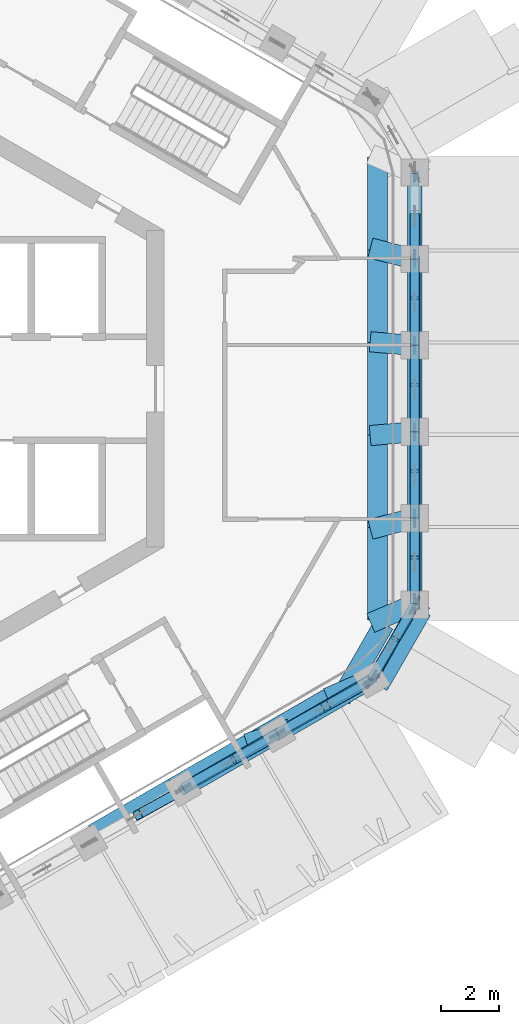
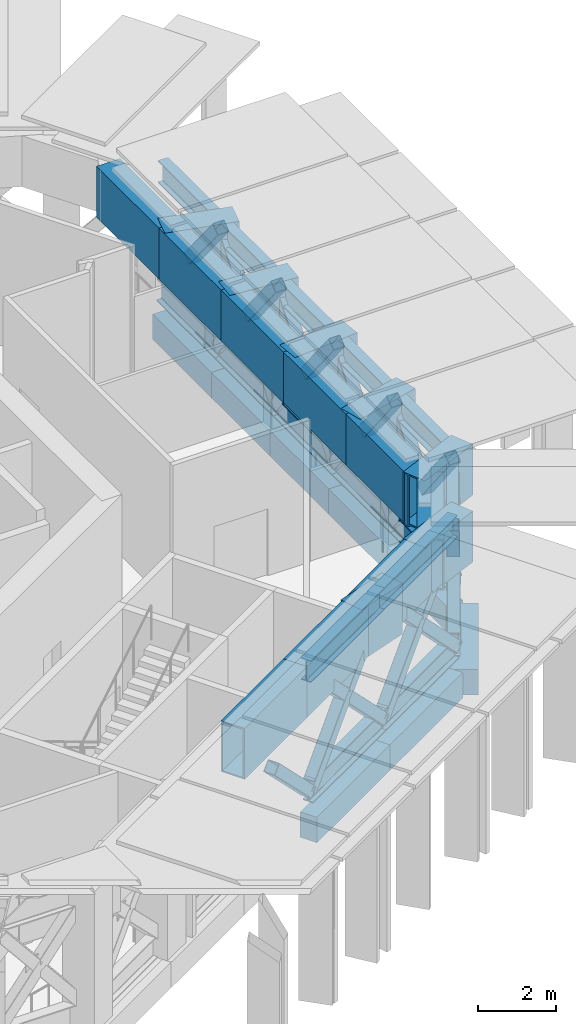
# One storey, part 3 of 15: 39 members, 24 beams.
"""IFC4 building model written with IfcOpenShell, lengths in metres."""

import ifcopenshell
import ifcopenshell.guid

model = None  # the IFC model being written
_history = None  # IfcOwnerHistory: only IFC2X3 demands one
_inside = {}  # id of a spatial element -> (the spatial element, [elements in it])
_under = {}  # id of a project, library or spatial element -> (it, [spatial elements below it])
_declared = {}  # id of a project -> (the project, [libraries it declares])
_typed = {}  # id of a type object -> (the type object, [elements of that type])
_made_of = {}  # id of a material, layer set ... -> (it, [elements and type objects made of it])


def new_model(schema):
    """Start an empty IFC model of exactly this schema.

    Asked for "IFC4X3", IfcOpenShell would pick the latest addendum, in which some entities
    have other attributes; the version numbers below select the first issue.
    IFC2X3 requires an IfcOwnerHistory on every rooted entity: one is made here for all.
    """
    global model, _history
    if schema == "IFC4X3":
        model = ifcopenshell.file(schema_version=(4, 3, 0, 0))
    else:
        model = ifcopenshell.file(schema=schema)
    _inside.clear()
    _under.clear()
    _declared.clear()
    _typed.clear()
    _made_of.clear()
    _history = None
    if model.schema == "IFC2X3":
        org = make("IfcOrganization", Name="unknown")
        user = make(
            "IfcPersonAndOrganization",
            ThePerson=make("IfcPerson", FamilyName="unknown"),
            TheOrganization=org,
        )
        app = make(
            "IfcApplication",
            ApplicationDeveloper=org,
            Version="unknown",
            ApplicationFullName="unknown",
            ApplicationIdentifier="unknown",
        )
        _history = make(
            "IfcOwnerHistory",
            OwningUser=user,
            OwningApplication=app,
            ChangeAction="ADDED",
            CreationDate=0,
        )
    return model


def make(cls, **values):
    """One entity of the class cls with the attributes given. An attribute that is None is left unset."""
    return model.create_entity(
        cls, **{name: value for name, value in values.items() if value is not None}
    )


def rooted(cls, **values):
    """An entity with a GlobalId (a new one), such as an element, a storey or a relation."""
    return make(cls, GlobalId=ifcopenshell.guid.new(), OwnerHistory=_history, **values)


def si_unit(unit_type, name, prefix=None):
    """IfcSIUnit, for example si_unit("LENGTHUNIT", "METRE", prefix="MILLI")."""
    return make("IfcSIUnit", UnitType=unit_type, Prefix=prefix, Name=name)


def assignment(units):
    """IfcUnitAssignment: the units of a project."""
    return None if units is None else make("IfcUnitAssignment", Units=units)


def point(xyz):
    """IfcCartesianPoint."""
    return None if xyz is None else make("IfcCartesianPoint", Coordinates=xyz)


def direction(xyz):
    """IfcDirection."""
    return None if xyz is None else make("IfcDirection", DirectionRatios=xyz)


def frame(location, z_axis=None, x_axis=None):
    """IfcAxis2Placement3D, a coordinate frame: its origin and axes. An axis left out is left unset."""
    return make(
        "IfcAxis2Placement3D",
        Location=point(location),
        Axis=direction(z_axis),
        RefDirection=direction(x_axis),
    )


def frame_2d(location, x_axis=None):
    """IfcAxis2Placement2D, a coordinate frame in the plane: its origin and x axis."""
    return make(
        "IfcAxis2Placement2D", Location=point(location), RefDirection=direction(x_axis)
    )


def origin():
    """The frame at (0, 0, 0) with its axes left unset."""
    return frame((0.0, 0.0, 0.0))


def origin_2d():
    """The frame at (0, 0) in the plane with its x axis left unset."""
    return frame_2d((0.0, 0.0))


def place(relative_to, where):
    """IfcLocalPlacement: puts the frame where relative to a parent placement (None: the world)."""
    return make(
        "IfcLocalPlacement", PlacementRelTo=relative_to, RelativePlacement=where
    )


def context(
    kind, dimensions, precision=None, world=None, true_north=None, identifier=None
):
    """IfcGeometricRepresentationContext, for example the 3D "Model" context."""
    return make(
        "IfcGeometricRepresentationContext",
        ContextIdentifier=identifier,
        ContextType=kind,
        CoordinateSpaceDimension=dimensions,
        Precision=precision,
        WorldCoordinateSystem=world,
        TrueNorth=true_north,
    )


def subcontext(parent, identifier, kind, view, scale=None):
    """IfcGeometricRepresentationSubContext, for example "Body" below "Model"."""
    return make(
        "IfcGeometricRepresentationSubContext",
        ContextIdentifier=identifier,
        ContextType=kind,
        ParentContext=parent,
        TargetScale=scale,
        TargetView=view,
    )


def project(units=None, contexts=None):
    """IfcProject with its units and contexts."""
    return rooted(
        "IfcProject",
        Name="project",
        RepresentationContexts=contexts,
        UnitsInContext=assignment(units),
    )


def spatial(cls, under=None, at=None, **own):
    """A site, building, storey or space (cls), placed at a placement, below another one or the project."""
    s = rooted(cls, ObjectPlacement=at, **own)
    if under is not None:
        _under.setdefault(under.id(), (under, []))[1].append(s)
    return s


def profile(cls, at=None, kind="AREA", **sizes):
    """A parametric profile (cls). Its sizes go by their IFC names, for example OverallWidth=200.0."""
    return make(cls, ProfileType=kind, Position=at, **sizes)


def rectangle(**sizes):
    """IfcRectangleProfileDef."""
    return profile("IfcRectangleProfileDef", **sizes)


def hollow_rectangle(**sizes):
    """IfcRectangleHollowProfileDef."""
    return profile("IfcRectangleHollowProfileDef", **sizes)


def i_section(**sizes):
    """IfcIShapeProfileDef."""
    return profile("IfcIShapeProfileDef", **sizes)


def extrude(swept, where, along, depth):
    """IfcExtrudedAreaSolid: the profile swept, set in the frame where, extruded along a direction by depth."""
    return make(
        "IfcExtrudedAreaSolid",
        SweptArea=swept,
        Position=where,
        ExtrudedDirection=direction(along),
        Depth=depth,
    )


def shape(context_of_items, identifier, shape_type, items):
    """IfcShapeRepresentation: the items that make up one representation, for example the "Body"."""
    return make(
        "IfcShapeRepresentation",
        ContextOfItems=context_of_items,
        RepresentationIdentifier=identifier,
        RepresentationType=shape_type,
        Items=items,
    )


def material(Name=None, Category=None):
    """IfcMaterial."""
    return make("IfcMaterial", Name=Name, Category=Category)


def material_profile(
    of_material, cross_section, Name=None, Category=None, Priority=None
):
    """IfcMaterialProfile: a cross section and its material."""
    return make(
        "IfcMaterialProfile",
        Name=Name,
        Material=of_material,
        Profile=cross_section,
        Priority=Priority,
        Category=Category,
    )


def profile_set(profiles, Name=None, composite=None):
    """IfcMaterialProfileSet."""
    return make(
        "IfcMaterialProfileSet",
        Name=Name,
        MaterialProfiles=profiles,
        CompositeProfile=composite,
    )


def made_of(thing, what):
    """Note that an element or type object is made of a material, layer set ...; save() writes the relation."""
    if what is not None:
        _made_of.setdefault(what.id(), (what, []))[1].append(thing)
    return thing


def type_object(cls, material=None, **own):
    """A type object (cls), such as IfcWallType, which elements share."""
    return made_of(rooted(cls, **own), material)


def element(
    cls,
    number,
    at=None,
    inside=None,
    cuts=None,
    type_object=None,
    material=None,
    context=None,
    identifier="Body",
    shape_type=None,
    held_by="IfcProductDefinitionShape",
    body=None,
    shapes=None,
    **own,
):
    """One element of the class cls, such as IfcWall. Its Tag is "e" and its number.

    at: its placement. inside: the storey or other place that contains it. cuts: it is an
    opening in that element (IfcRelVoidsElement). A single representation is given by context,
    identifier, shape_type and body (its items); several are given by shapes. held_by: the class
    of the entity that holds the representations. save() writes the other relations.
    """
    e = rooted(cls, Tag="e%d" % number, ObjectPlacement=at, **own)
    if body is not None:
        shapes = [shape(context, identifier, shape_type, body)]
    if shapes is not None:
        e.Representation = make(held_by, Representations=shapes)
    if inside is not None:
        _inside.setdefault(inside.id(), (inside, []))[1].append(e)
    if cuts is not None:
        rooted(
            "IfcRelVoidsElement", RelatingBuildingElement=cuts, RelatedOpeningElement=e
        )
    if type_object is not None:
        _typed.setdefault(type_object.id(), (type_object, []))[1].append(e)
    return made_of(e, material)


def aggregate(whole, parts):
    """IfcRelAggregates: a whole, such as a stair, and the parts it consists of."""
    return rooted("IfcRelAggregates", RelatingObject=whole, RelatedObjects=parts)


def save(model, path):
    """Write the relations noted so far, then the file.

    IfcRelAggregates (storeys below a building ...), IfcRelContainedInSpatialStructure (elements
    in a storey), IfcRelDefinesByType, IfcRelAssociatesMaterial and IfcRelDeclares: one each for
    every whole, place, type object, material and project.
    """
    for whole, parts in _under.values():
        aggregate(whole, parts)
    for where, things in _inside.values():
        rooted(
            "IfcRelContainedInSpatialStructure",
            RelatedElements=things,
            RelatingStructure=where,
        )
    for kind, things in _typed.values():
        rooted("IfcRelDefinesByType", RelatedObjects=things, RelatingType=kind)
    for what, things in _made_of.values():
        rooted("IfcRelAssociatesMaterial", RelatedObjects=things, RelatingMaterial=what)
    for by, libraries in _declared.values():
        rooted("IfcRelDeclares", RelatingContext=by, RelatedDefinitions=libraries)
    model.write(path)


model = new_model("IFC4")

# Units and contexts
model_context = context("Model", 3, precision=1e-05, world=origin(), true_north=direction((0.0, 1.0)))
body_context = subcontext(model_context, "Body", "Model", "MODEL_VIEW")
ifc_project = project(units=[si_unit("LENGTHUNIT", "METRE"), si_unit("AREAUNIT", "SQUARE_METRE"), si_unit("VOLUMEUNIT", "CUBIC_METRE"), si_unit("PLANEANGLEUNIT", "RADIAN"), si_unit("MASSUNIT", "GRAM", prefix="KILO")], contexts=[model_context])

# Site, building, storey
site_placement = place(None, origin())
site = spatial("IfcSite", under=ifc_project, at=site_placement, CompositionType="ELEMENT")
building_placement = place(site_placement, origin())
building = spatial("IfcBuilding", under=site, at=building_placement, Name="Ayvan Gate Tower", CompositionType="ELEMENT")
storey_placement = place(building_placement, frame((0.0, 0.0, 214.10009765625)))
storey = spatial("IfcBuildingStorey", under=building, at=storey_placement, Name="L57", CompositionType="ELEMENT", Elevation=214.10009765625)

# Members
ifc_material_1 = material(Name="Steel S460NH", Category="steel")
ifc_material_profile_1 = material_profile(ifc_material_1, hollow_rectangle(XDim=0.35009765625, YDim=0.35009765625, WallThickness=0.01611328125, InnerFilletRadius=0.01611328125, OuterFilletRadius=0.02392578125, at=origin_2d()), Name="RHS 350x350x16")
ifc_profile_set_1 = profile_set([ifc_material_profile_1], Name="Steel S460NH")
member_type_1 = type_object("IfcMemberType", Name="Belt truss brace BT3 RHS 350x350x16", PredefinedType="BRACE", material=ifc_profile_set_1)
member_1_placement = place(storey_placement, frame((18.1865234375, -7.5234375, 0.349853515625), z_axis=(0.0, 0.631565083768, 0.775322864983), x_axis=(-1.0, 0.0, 0.0)))
element("IfcMember", 1, at=member_1_placement, inside=storey, type_object=member_type_1, Name="BT3-DA-1", PredefinedType="BRACE", context=body_context, shape_type="SweptSolid", body=[
    extrude(hollow_rectangle(XDim=0.35009765625, YDim=0.35009765625, WallThickness=0.01611328125, InnerFilletRadius=0.01611328125, OuterFilletRadius=0.02392578125, at=origin_2d()), origin(), (0.0, 0.0, 1.0), 4.836669921875),
])
member_2_placement = place(storey_placement, frame((18.1865234375, -4.513916015625, 0.349853515625), z_axis=(0.0, -0.61620297131, 0.787587390801), x_axis=(1.0, 0.0, 0.0)))
element("IfcMember", 2, at=member_2_placement, inside=storey, type_object=member_type_1, Name="BT3-DB-1", PredefinedType="BRACE", context=body_context, shape_type="SweptSolid", body=[
    extrude(hollow_rectangle(XDim=0.35009765625, YDim=0.35009765625, WallThickness=0.01611328125, InnerFilletRadius=0.01611328125, OuterFilletRadius=0.02392578125, at=origin_2d()), origin(), (0.0, 0.0, 1.0), 2.3134765625),
])
member_3_placement = place(storey_placement, frame((18.1865234375, -6.037353515625, 2.296875), z_axis=(0.0, -0.616138576654, 0.787637768494), x_axis=(1.0, 0.0, 0.0)))
element("IfcMember", 3, at=member_3_placement, inside=storey, type_object=member_type_1, Name="BT3-DC-1", PredefinedType="BRACE", context=body_context, shape_type="SweptSolid", body=[
    extrude(hollow_rectangle(XDim=0.35009765625, YDim=0.35009765625, WallThickness=0.01611328125, InnerFilletRadius=0.01611328125, OuterFilletRadius=0.02392578125, at=origin_2d()), origin(), (0.0, 0.0, 1.0), 2.2890625),
])
member_4_placement = place(storey_placement, frame((18.1865234375, -4.513916015625, 0.349853515625), z_axis=(0.0, 0.627780185458, 0.778390672315), x_axis=(-1.0, 0.0, 0.0)))
element("IfcMember", 4, at=member_4_placement, inside=storey, type_object=member_type_1, Name="BT3-DA-2", PredefinedType="BRACE", context=body_context, shape_type="SweptSolid", body=[
    extrude(hollow_rectangle(XDim=0.35009765625, YDim=0.35009765625, WallThickness=0.01611328125, InnerFilletRadius=0.01611328125, OuterFilletRadius=0.02392578125, at=origin_2d()), origin(), (0.0, 0.0, 1.0), 4.817626953125),
])
member_5_placement = place(storey_placement, frame((18.1865234375, -1.504638671875, 0.349853515625), z_axis=(0.0, -0.620056579907, 0.784557096529), x_axis=(1.0, 0.0, 0.0)))
element("IfcMember", 5, at=member_5_placement, inside=storey, type_object=member_type_1, Name="BT3-DB-2", PredefinedType="BRACE", context=body_context, shape_type="SweptSolid", body=[
    extrude(hollow_rectangle(XDim=0.35009765625, YDim=0.35009765625, WallThickness=0.01611328125, InnerFilletRadius=0.01611328125, OuterFilletRadius=0.02392578125, at=origin_2d()), origin(), (0.0, 0.0, 1.0), 2.32275390625),
])
member_6_placement = place(storey_placement, frame((18.1865234375, -3.04345703125, 2.296630859375), z_axis=(0.0, -0.62009878179, 0.784523741401), x_axis=(1.0, 0.0, 0.0)))
element("IfcMember", 6, at=member_6_placement, inside=storey, type_object=member_type_1, Name="BT3-DC-2", PredefinedType="BRACE", context=body_context, shape_type="SweptSolid", body=[
    extrude(hollow_rectangle(XDim=0.35009765625, YDim=0.35009765625, WallThickness=0.01611328125, InnerFilletRadius=0.01611328125, OuterFilletRadius=0.02392578125, at=origin_2d()), origin(), (0.0, 0.0, 1.0), 2.298583984375),
])
member_7_placement = place(storey_placement, frame((18.1865234375, -1.504638671875, 0.349853515625), z_axis=(0.0, 0.623950228458, 0.781464082609), x_axis=(-1.0, 0.0, 0.0)))
element("IfcMember", 7, at=member_7_placement, inside=storey, type_object=member_type_1, Name="BT3-DA-3", PredefinedType="BRACE", context=body_context, shape_type="SweptSolid", body=[
    extrude(hollow_rectangle(XDim=0.35009765625, YDim=0.35009765625, WallThickness=0.01611328125, InnerFilletRadius=0.01611328125, OuterFilletRadius=0.02392578125, at=origin_2d()), origin(), (0.0, 0.0, 1.0), 4.798583984375),
])
member_8_placement = place(storey_placement, frame((18.1865234375, 1.504638671875, 0.349853515625), z_axis=(0.0, -0.623928751635, 0.781481230026), x_axis=(1.0, 0.0, 0.0)))
element("IfcMember", 8, at=member_8_placement, inside=storey, type_object=member_type_1, Name="BT3-DB-3", PredefinedType="BRACE", context=body_context, shape_type="SweptSolid", body=[
    extrude(hollow_rectangle(XDim=0.35009765625, YDim=0.35009765625, WallThickness=0.01611328125, InnerFilletRadius=0.01611328125, OuterFilletRadius=0.02392578125, at=origin_2d()), origin(), (0.0, 0.0, 1.0), 2.33203125),
])
member_9_placement = place(storey_placement, frame((18.1865234375, -0.049560546875, 2.29638671875), z_axis=(0.0, -0.623946493522, 0.781467064707), x_axis=(1.0, 0.0, 0.0)))
element("IfcMember", 9, at=member_9_placement, inside=storey, type_object=member_type_1, Name="BT3-DC-3", PredefinedType="BRACE", context=body_context, shape_type="SweptSolid", body=[
    extrude(hollow_rectangle(XDim=0.35009765625, YDim=0.35009765625, WallThickness=0.01611328125, InnerFilletRadius=0.01611328125, OuterFilletRadius=0.02392578125, at=origin_2d()), origin(), (0.0, 0.0, 1.0), 2.307861328125),
])
member_10_placement = place(storey_placement, frame((18.1865234375, 1.504638671875, 0.349853515625), z_axis=(0.0, 0.620106212959, 0.784517867642), x_axis=(-1.0, 0.0, 0.0)))
element("IfcMember", 10, at=member_10_placement, inside=storey, type_object=member_type_1, Name="BT3-DA-4", PredefinedType="BRACE", context=body_context, shape_type="SweptSolid", body=[
    extrude(hollow_rectangle(XDim=0.35009765625, YDim=0.35009765625, WallThickness=0.01611328125, InnerFilletRadius=0.01611328125, OuterFilletRadius=0.02392578125, at=origin_2d()), origin(), (0.0, 0.0, 1.0), 4.780029296875),
])
member_11_placement = place(storey_placement, frame((18.1865234375, 4.513916015625, 0.349853515625), z_axis=(0.0, -0.627754489073, 0.778411396017), x_axis=(1.0, 0.0, 0.0)))
element("IfcMember", 11, at=member_11_placement, inside=storey, type_object=member_type_1, Name="BT3-DB-4", PredefinedType="BRACE", context=body_context, shape_type="SweptSolid", body=[
    extrude(hollow_rectangle(XDim=0.35009765625, YDim=0.35009765625, WallThickness=0.01611328125, InnerFilletRadius=0.01611328125, OuterFilletRadius=0.02392578125, at=origin_2d()), origin(), (0.0, 0.0, 1.0), 2.341552734375),
])
member_12_placement = place(storey_placement, frame((18.1865234375, 2.9443359375, 2.296142578125), z_axis=(0.0, -0.627812168387, 0.778364876665), x_axis=(1.0, 0.0, 0.0)))
element("IfcMember", 12, at=member_12_placement, inside=storey, type_object=member_type_1, Name="BT3-DC-4", PredefinedType="BRACE", context=body_context, shape_type="SweptSolid", body=[
    extrude(hollow_rectangle(XDim=0.35009765625, YDim=0.35009765625, WallThickness=0.01611328125, InnerFilletRadius=0.01611328125, OuterFilletRadius=0.02392578125, at=origin_2d()), origin(), (0.0, 0.0, 1.0), 2.3173828125),
])
member_13_placement = place(storey_placement, frame((18.1865234375, 5.938232421875, 2.2958984375), z_axis=(0.0, -0.631567843318, 0.775320617092), x_axis=(1.0, 0.0, 0.0)))
element("IfcMember", 13, at=member_13_placement, inside=storey, type_object=member_type_1, Name="BT3-DC-5", PredefinedType="BRACE", context=body_context, shape_type="SweptSolid", body=[
    extrude(hollow_rectangle(XDim=0.35009765625, YDim=0.35009765625, WallThickness=0.01611328125, InnerFilletRadius=0.01611328125, OuterFilletRadius=0.02392578125, at=origin_2d()), origin(), (0.0, 0.0, 1.0), 2.32666015625),
])
member_14_placement = place(storey_placement, frame((10.1806640625, -13.87744140625, 0.349853515625), z_axis=(-0.619559039374, -0.343515068481, 0.70579316691), x_axis=(0.484904516897, -0.874567098337, 0.0)))
element("IfcMember", 14, at=member_14_placement, inside=storey, type_object=member_type_1, Name="BT3-DB-33", PredefinedType="BRACE", context=body_context, shape_type="SweptSolid", body=[
    extrude(hollow_rectangle(XDim=0.35009765625, YDim=0.35009765625, WallThickness=0.01611328125, InnerFilletRadius=0.01611328125, OuterFilletRadius=0.02392578125, at=origin_2d()), origin(), (0.0, 0.0, 1.0), 2.576416015625),
])
member_15_placement = place(storey_placement, frame((10.1806640625, -13.87744140625, 0.349853515625), z_axis=(0.60854005895, 0.365509216328, 0.704330894844), x_axis=(-0.514894674999, 0.857253447737, 0.0)))
element("IfcMember", 15, at=member_15_placement, inside=storey, type_object=member_type_1, Name="BT3-DA-34", PredefinedType="BRACE", context=body_context, shape_type="SweptSolid", body=[
    extrude(hollow_rectangle(XDim=0.35009765625, YDim=0.35009765625, WallThickness=0.01611328125, InnerFilletRadius=0.01611328125, OuterFilletRadius=0.02392578125, at=origin_2d()), origin(), (0.0, 0.0, 1.0), 5.32421875),
])
member_16_placement = place(storey_placement, frame((13.43359375, -11.99951171875, 0.349853515625), z_axis=(-0.618339774411, -0.342783566589, 0.707216621593), x_axis=(0.484844495203, -0.874600374726, 0.0)))
element("IfcMember", 16, at=member_16_placement, inside=storey, type_object=member_type_1, Name="BT3-DB-34", PredefinedType="BRACE", context=body_context, shape_type="SweptSolid", body=[
    extrude(hollow_rectangle(XDim=0.35009765625, YDim=0.35009765625, WallThickness=0.01611328125, InnerFilletRadius=0.01611328125, OuterFilletRadius=0.02392578125, at=origin_2d()), origin(), (0.0, 0.0, 1.0), 2.571044921875),
])
member_17_placement = place(storey_placement, frame((11.7509765625, -12.93212890625, 2.274169921875), z_axis=(-0.618375553237, -0.342806450601, 0.707174244854), x_axis=(0.484847794498, -0.874598545717, 0.0)))
element("IfcMember", 17, at=member_17_placement, inside=storey, type_object=member_type_1, Name="BT3-DC-34", PredefinedType="BRACE", context=body_context, shape_type="SweptSolid", body=[
    extrude(hollow_rectangle(XDim=0.35009765625, YDim=0.35009765625, WallThickness=0.01611328125, InnerFilletRadius=0.01611328125, OuterFilletRadius=0.02392578125, at=origin_2d()), origin(), (0.0, 0.0, 1.0), 2.58154296875),
])
member_18_placement = place(storey_placement, frame((13.43359375, -11.99951171875, 0.349853515625), z_axis=(0.609750576963, 0.366198147468, 0.70292471196), x_axis=(-0.514855261854, 0.857277119338, 0.0)))
element("IfcMember", 18, at=member_18_placement, inside=storey, type_object=member_type_1, Name="BT3-DA-35", PredefinedType="BRACE", context=body_context, shape_type="SweptSolid", body=[
    extrude(hollow_rectangle(XDim=0.35009765625, YDim=0.35009765625, WallThickness=0.01611328125, InnerFilletRadius=0.01611328125, OuterFilletRadius=0.02392578125, at=origin_2d()), origin(), (0.0, 0.0, 1.0), 5.3349609375),
])
member_19_placement = place(storey_placement, frame((16.6865234375, -10.121337890625, 0.349853515625), z_axis=(-0.617154677975, -0.342070778187, 0.708595573062), x_axis=(0.484783985365, -0.874633916295, 0.0)))
element("IfcMember", 19, at=member_19_placement, inside=storey, type_object=member_type_1, Name="BT3-DB-35", PredefinedType="BRACE", context=body_context, shape_type="SweptSolid", body=[
    extrude(hollow_rectangle(XDim=0.35009765625, YDim=0.35009765625, WallThickness=0.01611328125, InnerFilletRadius=0.01611328125, OuterFilletRadius=0.02392578125, at=origin_2d()), origin(), (0.0, 0.0, 1.0), 2.56591796875),
])
member_20_placement = place(storey_placement, frame((15.010498046875, -11.05029296875, 2.274169921875), z_axis=(-0.61711533489, -0.342010018983, 0.708659163745), x_axis=(0.484741751076, -0.874657324192, 0.0)))
element("IfcMember", 20, at=member_20_placement, inside=storey, type_object=member_type_1, Name="BT3-DC-35", PredefinedType="BRACE", context=body_context, shape_type="SweptSolid", body=[
    extrude(hollow_rectangle(XDim=0.35009765625, YDim=0.35009765625, WallThickness=0.01611328125, InnerFilletRadius=0.01611328125, OuterFilletRadius=0.02392578125, at=origin_2d()), origin(), (0.0, 0.0, 1.0), 2.576171875),
])
member_21_placement = place(storey_placement, frame((16.6865234375, -10.121337890625, 0.349853515625), z_axis=(0.309686413261, 0.551981756448, 0.774216033152), x_axis=(-0.872117346699, 0.489296774552, 0.0)))
element("IfcMember", 21, at=member_21_placement, inside=storey, type_object=member_type_1, Name="BT3-DA-36", PredefinedType="BRACE", context=body_context, shape_type="SweptSolid", body=[
    extrude(hollow_rectangle(XDim=0.35009765625, YDim=0.35009765625, WallThickness=0.01611328125, InnerFilletRadius=0.01611328125, OuterFilletRadius=0.02392578125, at=origin_2d()), origin(), (0.0, 0.0, 1.0), 4.843505859375),
])
for number, where, z_axis, x_axis, name in (
    (22, (18.1865234375, -7.5234375, 0.349853515625), (-0.315055352009, -0.529653660801, 0.787532300779), (0.859445954583, -0.511226614282, 0.0), "BT3-DB-36"),
    (23, (17.41162109375, -8.82666015625, 2.287353515625), (-0.315037650262, -0.529729974884, 0.787488052371), (0.859490931279, -0.511150994373, 0.0), "BT3-DC-36"),
):
    element("IfcMember", number, at=place(storey_placement, frame(where, z_axis=z_axis, x_axis=x_axis)), inside=storey, type_object=member_type_1, Name=name, PredefinedType="BRACE", context=body_context, shape_type="SweptSolid", body=[
        extrude(hollow_rectangle(XDim=0.35009765625, YDim=0.35009765625, WallThickness=0.01611328125, InnerFilletRadius=0.01611328125, OuterFilletRadius=0.02392578125, at=origin_2d()), origin(), (0.0, 0.0, 1.0), 2.301513671875),
    ])
ifc_material_2 = material(Name="Steel S460ML", Category="steel")
ifc_material_profile_2 = material_profile(ifc_material_2, i_section(OverallWidth=0.300048828125, OverallDepth=0.699951171875, WebThickness=0.01708984375, FlangeThickness=0.031982421875, FilletRadius=0.027099609375, at=origin_2d()), Name="HE 700 B")
ifc_profile_set_2 = profile_set([ifc_material_profile_2], Name="Steel S460ML")
member_type_2 = type_object("IfcMemberType", Name="Belt truss chord BT3 HE 700 B", PredefinedType="CHORD", material=ifc_profile_set_2)
member_22_placement = place(storey_placement, frame((18.1865234375, -7.5234375, 0.349853515625), z_axis=(0.0, 1.0, 0.0), x_axis=(-1.0, 0.0, 0.0)))
element("IfcMember", 24, at=member_22_placement, inside=storey, type_object=member_type_2, Name="BT3-BC-1", PredefinedType="CHORD", context=body_context, shape_type="SweptSolid", body=[
    extrude(i_section(OverallWidth=0.300048828125, OverallDepth=0.699951171875, WebThickness=0.01708984375, FlangeThickness=0.031982421875, FilletRadius=0.027099609375, at=origin_2d()), origin(), (0.0, 0.0, 1.0), 3.009521484375),
])
member_23_placement = place(storey_placement, frame((18.1865234375, -7.44775390625, 4.099853515625), z_axis=(0.0, 1.0, 0.0), x_axis=(-1.0, 0.0, 0.0)))
element("IfcMember", 25, at=member_23_placement, inside=storey, type_object=member_type_2, Name="BT3-TC-1", PredefinedType="CHORD", context=body_context, shape_type="SweptSolid", body=[
    extrude(i_section(OverallWidth=0.300048828125, OverallDepth=0.699951171875, WebThickness=0.01708984375, FlangeThickness=0.031982421875, FilletRadius=0.027099609375, at=origin_2d()), origin(), (0.0, 0.0, 1.0), 2.97900390625),
])
member_24_placement = place(storey_placement, frame((18.1865234375, -4.513916015625, 0.349853515625), z_axis=(0.0, 1.0, 0.0), x_axis=(-1.0, 0.0, 0.0)))
element("IfcMember", 26, at=member_24_placement, inside=storey, type_object=member_type_2, Name="BT3-BC-2", PredefinedType="CHORD", context=body_context, shape_type="SweptSolid", body=[
    extrude(i_section(OverallWidth=0.300048828125, OverallDepth=0.699951171875, WebThickness=0.01708984375, FlangeThickness=0.031982421875, FilletRadius=0.027099609375, at=origin_2d()), origin(), (0.0, 0.0, 1.0), 3.00927734375),
])
member_25_placement = place(storey_placement, frame((18.1865234375, -4.46875, 4.099853515625), z_axis=(0.0, 1.0, 0.0), x_axis=(-1.0, 0.0, 0.0)))
element("IfcMember", 27, at=member_25_placement, inside=storey, type_object=member_type_2, Name="BT3-TC-2", PredefinedType="CHORD", context=body_context, shape_type="SweptSolid", body=[
    extrude(i_section(OverallWidth=0.300048828125, OverallDepth=0.699951171875, WebThickness=0.01708984375, FlangeThickness=0.031982421875, FilletRadius=0.027099609375, at=origin_2d()), origin(), (0.0, 0.0, 1.0), 2.979248046875),
])
member_26_placement = place(storey_placement, frame((18.1865234375, -1.504638671875, 0.349853515625), z_axis=(0.0, 1.0, 0.0), x_axis=(-1.0, 0.0, 0.0)))
element("IfcMember", 28, at=member_26_placement, inside=storey, type_object=member_type_2, Name="BT3-BC-3", PredefinedType="CHORD", context=body_context, shape_type="SweptSolid", body=[
    extrude(i_section(OverallWidth=0.300048828125, OverallDepth=0.699951171875, WebThickness=0.01708984375, FlangeThickness=0.031982421875, FilletRadius=0.027099609375, at=origin_2d()), origin(), (0.0, 0.0, 1.0), 3.00927734375),
])
member_27_placement = place(storey_placement, frame((18.1865234375, -1.489501953125, 4.099853515625), z_axis=(0.0, 1.0, 0.0), x_axis=(-1.0, 0.0, 0.0)))
element("IfcMember", 29, at=member_27_placement, inside=storey, type_object=member_type_2, Name="BT3-TC-3", PredefinedType="CHORD", context=body_context, shape_type="SweptSolid", body=[
    extrude(i_section(OverallWidth=0.300048828125, OverallDepth=0.699951171875, WebThickness=0.01708984375, FlangeThickness=0.031982421875, FilletRadius=0.027099609375, at=origin_2d()), origin(), (0.0, 0.0, 1.0), 2.97900390625),
])
member_28_placement = place(storey_placement, frame((18.1865234375, 1.504638671875, 0.349853515625), z_axis=(0.0, 1.0, 0.0), x_axis=(-1.0, 0.0, 0.0)))
element("IfcMember", 30, at=member_28_placement, inside=storey, type_object=member_type_2, Name="BT3-BC-4", PredefinedType="CHORD", context=body_context, shape_type="SweptSolid", body=[
    extrude(i_section(OverallWidth=0.300048828125, OverallDepth=0.699951171875, WebThickness=0.01708984375, FlangeThickness=0.031982421875, FilletRadius=0.027099609375, at=origin_2d()), origin(), (0.0, 0.0, 1.0), 3.00927734375),
])
member_29_placement = place(storey_placement, frame((18.1865234375, 1.489501953125, 4.099853515625), z_axis=(0.0, 1.0, 0.0), x_axis=(-1.0, 0.0, 0.0)))
element("IfcMember", 31, at=member_29_placement, inside=storey, type_object=member_type_2, Name="BT3-TC-4", PredefinedType="CHORD", context=body_context, shape_type="SweptSolid", body=[
    extrude(i_section(OverallWidth=0.300048828125, OverallDepth=0.699951171875, WebThickness=0.01708984375, FlangeThickness=0.031982421875, FilletRadius=0.027099609375, at=origin_2d()), origin(), (0.0, 0.0, 1.0), 2.979248046875),
])
member_30_placement = place(storey_placement, frame((18.1865234375, 4.513916015625, 0.349853515625), z_axis=(0.0, 1.0, 0.0), x_axis=(-1.0, 0.0, 0.0)))
element("IfcMember", 32, at=member_30_placement, inside=storey, type_object=member_type_2, Name="BT3-BC-5", PredefinedType="CHORD", context=body_context, shape_type="SweptSolid", body=[
    extrude(i_section(OverallWidth=0.300048828125, OverallDepth=0.699951171875, WebThickness=0.01708984375, FlangeThickness=0.031982421875, FilletRadius=0.027099609375, at=origin_2d()), origin(), (0.0, 0.0, 1.0), 3.009521484375),
])
member_31_placement = place(storey_placement, frame((18.1865234375, 4.46875, 4.099853515625), z_axis=(0.0, 1.0, 0.0), x_axis=(-1.0, 0.0, 0.0)))
element("IfcMember", 33, at=member_31_placement, inside=storey, type_object=member_type_2, Name="BT3-TC-5", PredefinedType="CHORD", context=body_context, shape_type="SweptSolid", body=[
    extrude(i_section(OverallWidth=0.300048828125, OverallDepth=0.699951171875, WebThickness=0.01708984375, FlangeThickness=0.031982421875, FilletRadius=0.027099609375, at=origin_2d()), origin(), (0.0, 0.0, 1.0), 2.97900390625),
])
member_32_placement = place(storey_placement, frame((10.1806640625, -13.87744140625, 0.349853515625), z_axis=(0.866042712228, 0.499970019698, 0.0), x_axis=(-0.499970019698, 0.866042712228, 0.0)))
element("IfcMember", 34, at=member_32_placement, inside=storey, type_object=member_type_2, Name="BT3-BC-34", PredefinedType="CHORD", context=body_context, shape_type="SweptSolid", body=[
    extrude(i_section(OverallWidth=0.300048828125, OverallDepth=0.699951171875, WebThickness=0.01708984375, FlangeThickness=0.031982421875, FilletRadius=0.027099609375, at=origin_2d()), origin(), (0.0, 0.0, 1.0), 3.756103515625),
])
member_33_placement = place(storey_placement, frame((10.154541015625, -13.817138671875, 4.099853515625), z_axis=(0.866019570528, 0.500010103361, 0.0), x_axis=(-0.500010103361, 0.866019570528, 0.0)))
element("IfcMember", 35, at=member_33_placement, inside=storey, type_object=member_type_2, Name="BT3-TC-34", PredefinedType="CHORD", context=body_context, shape_type="SweptSolid", body=[
    extrude(i_section(OverallWidth=0.300048828125, OverallDepth=0.699951171875, WebThickness=0.01708984375, FlangeThickness=0.031982421875, FilletRadius=0.027099609375, at=origin_2d()), origin(), (0.0, 0.0, 1.0), 3.771484375),
])
member_34_placement = place(storey_placement, frame((13.43359375, -11.99951171875, 0.349853515625), z_axis=(0.866014567632, 0.500018768297, 0.0), x_axis=(-0.500018768297, 0.866014567632, 0.0)))
element("IfcMember", 36, at=member_34_placement, inside=storey, type_object=member_type_2, Name="BT3-BC-35", PredefinedType="CHORD", context=body_context, shape_type="SweptSolid", body=[
    extrude(i_section(OverallWidth=0.300048828125, OverallDepth=0.699951171875, WebThickness=0.01708984375, FlangeThickness=0.031982421875, FilletRadius=0.027099609375, at=origin_2d()), origin(), (0.0, 0.0, 1.0), 3.756103515625),
])
member_35_placement = place(storey_placement, frame((13.420654296875, -11.931396484375, 4.099853515625), z_axis=(0.866031418311, 0.499989582389, 0.0), x_axis=(-0.499989582389, 0.866031418311, 0.0)))
element("IfcMember", 37, at=member_35_placement, inside=storey, type_object=member_type_2, Name="BT3-TC-35", PredefinedType="CHORD", context=body_context, shape_type="SweptSolid", body=[
    extrude(i_section(OverallWidth=0.300048828125, OverallDepth=0.699951171875, WebThickness=0.01708984375, FlangeThickness=0.031982421875, FilletRadius=0.027099609375, at=origin_2d()), origin(), (0.0, 0.0, 1.0), 3.77099609375),
])
member_36_placement = place(storey_placement, frame((16.6865234375, -10.121337890625, 0.349853515625), z_axis=(0.50002537861, 0.866010750942, 0.0), x_axis=(-0.866010750942, 0.50002537861, 0.0)))
element("IfcMember", 38, at=member_36_placement, inside=storey, type_object=member_type_2, Name="BT3-BC-36", PredefinedType="CHORD", context=body_context, shape_type="SweptSolid", body=[
    extrude(i_section(OverallWidth=0.300048828125, OverallDepth=0.699951171875, WebThickness=0.01708984375, FlangeThickness=0.031982421875, FilletRadius=0.027099609375, at=origin_2d()), origin(), (0.0, 0.0, 1.0), 2.999755859375),
])
member_37_placement = place(storey_placement, frame((16.6865234375, -10.0458984375, 4.099853515625), z_axis=(0.499990139034, 0.866031096941, 0.0), x_axis=(-0.866031096941, 0.499990139034, 0.0)))
element("IfcMember", 39, at=member_37_placement, inside=storey, type_object=member_type_2, Name="BT3-TC-36", PredefinedType="CHORD", context=body_context, shape_type="SweptSolid", body=[
    extrude(i_section(OverallWidth=0.300048828125, OverallDepth=0.699951171875, WebThickness=0.01708984375, FlangeThickness=0.031982421875, FilletRadius=0.027099609375, at=origin_2d()), origin(), (0.0, 0.0, 1.0), 3.0),
])

# Beams
ifc_material_3 = material(Name="Concrete C40/50", Category="concrete")
ifc_material_profile_3 = material_profile(ifc_material_3, rectangle(XDim=0.800048828125, YDim=0.800048828125, at=origin_2d()), Name="RC 800x800")
ifc_profile_set_3 = profile_set([ifc_material_profile_3], Name="Concrete C40/50")
beam_type_1 = type_object("IfcBeamType", Name="Corner spandrel beam RC 800x800 C40/50", PredefinedType="BEAM", material=ifc_profile_set_3)
beam_1_placement = place(storey_placement, frame((16.876953125, -10.254638671875, -0.800048828125), z_axis=(0.499990139034, 0.866031096941, 0.0), x_axis=(-0.866031096941, 0.499990139034, 0.0)))
element("IfcBeam", 40, at=beam_1_placement, inside=storey, type_object=beam_type_1, Name="SB-L57-36", PredefinedType="BEAM", context=body_context, shape_type="SweptSolid", body=[
    extrude(rectangle(XDim=0.800048828125, YDim=0.800048828125, at=origin_2d()), origin(), (0.0, 0.0, 1.0), 3.0),
])
ifc_material_profile_4 = material_profile(ifc_material_3, rectangle(XDim=0.5, YDim=0.800048828125, at=origin_2d()), Name="RC 500x800")
ifc_profile_set_4 = profile_set([ifc_material_profile_4], Name="Concrete C40/50")
beam_type_2 = type_object("IfcBeamType", Name="Spandrel beam RC 500x800 C40/50", PredefinedType="BEAM", material=ifc_profile_set_4)
beam_2_placement = place(storey_placement, frame((18.1865234375, -7.546630859375, -0.800048828125), z_axis=(0.0, 1.0, 0.0), x_axis=(-1.0, 0.0, 0.0)))
element("IfcBeam", 41, at=beam_2_placement, inside=storey, type_object=beam_type_2, Name="SB-L57-1", PredefinedType="BEAM", context=body_context, shape_type="SweptSolid", body=[
    extrude(rectangle(XDim=0.5, YDim=0.800048828125, at=origin_2d()), origin(), (0.0, 0.0, 1.0), 3.018798828125),
])
for number, where, z_axis, x_axis, name in (
    (42, (18.1865234375, -4.52783203125, -0.800048828125), (0.0, 1.0, 0.0), (-1.0, 0.0, 0.0), "SB-L57-2"),
    (43, (18.1865234375, -1.50927734375, -0.800048828125), (0.0, 1.0, 0.0), (-1.0, 0.0, 0.0), "SB-L57-3"),
    (44, (18.1865234375, 1.50927734375, -0.800048828125), (0.0, 1.0, 0.0), (-1.0, 0.0, 0.0), "SB-L57-4"),
):
    element("IfcBeam", number, at=place(storey_placement, frame(where, z_axis=z_axis, x_axis=x_axis)), inside=storey, type_object=beam_type_2, Name=name, PredefinedType="BEAM", context=body_context, shape_type="SweptSolid", body=[
        extrude(rectangle(XDim=0.5, YDim=0.800048828125, at=origin_2d()), origin(), (0.0, 0.0, 1.0), 3.0185546875),
    ])
beam_3_placement = place(storey_placement, frame((18.1865234375, 4.52783203125, -0.800048828125), z_axis=(0.0, 1.0, 0.0), x_axis=(-1.0, 0.0, 0.0)))
element("IfcBeam", 45, at=beam_3_placement, inside=storey, type_object=beam_type_2, Name="SB-L57-5", PredefinedType="BEAM", context=body_context, shape_type="SweptSolid", body=[
    extrude(rectangle(XDim=0.5, YDim=0.800048828125, at=origin_2d()), origin(), (0.0, 0.0, 1.0), 3.018798828125),
])
beam_4_placement = place(storey_placement, frame((10.188720703125, -13.89599609375, -0.800048828125), z_axis=(0.866036037803, 0.499981580887, 0.0), x_axis=(-0.499981580887, 0.866036037803, 0.0)))
element("IfcBeam", 46, at=beam_4_placement, inside=storey, type_object=beam_type_2, Name="SB-L57-34", PredefinedType="BEAM", context=body_context, shape_type="SweptSolid", body=[
    extrude(rectangle(XDim=0.5, YDim=0.800048828125, at=origin_2d()), origin(), (0.0, 0.0, 1.0), 3.751708984375),
])
beam_5_placement = place(storey_placement, frame((13.437744140625, -12.020263671875, -0.800048828125), z_axis=(0.86601976854, 0.500009760403, 0.0), x_axis=(-0.500009760403, 0.86601976854, 0.0)))
element("IfcBeam", 47, at=beam_5_placement, inside=storey, type_object=beam_type_2, Name="SB-L57-35", PredefinedType="BEAM", context=body_context, shape_type="SweptSolid", body=[
    extrude(rectangle(XDim=0.5, YDim=0.800048828125, at=origin_2d()), origin(), (0.0, 0.0, 1.0), 3.75146484375),
])
ifc_material_profile_5 = material_profile(ifc_material_2, hollow_rectangle(XDim=0.699951171875, YDim=1.60009765625, WallThickness=0.044921875, at=origin_2d()), Name="BOX 700x1600x45")
ifc_profile_set_5 = profile_set([ifc_material_profile_5], Name="Steel S460ML")
beam_type_3 = type_object("IfcBeamType", Name="Transfer ring girder BOX 700x1600x45", PredefinedType="BEAM", material=ifc_profile_set_5)
for number, where, z_axis, x_axis, name in (
    (48, (16.887451171875, -8.01806640625, 3.64990234375), (0.0, 1.0, 0.0), (-1.0, 0.0, 0.0), "TR-L57-1"),
    (49, (16.887451171875, -4.810791015625, 3.64990234375), (0.0, 1.0, 0.0), (-1.0, 0.0, 0.0), "TR-L57-2"),
):
    element("IfcBeam", number, at=place(storey_placement, frame(where, z_axis=z_axis, x_axis=x_axis)), inside=storey, type_object=beam_type_3, Name=name, PredefinedType="BEAM", context=body_context, shape_type="SweptSolid", body=[
        extrude(hollow_rectangle(XDim=0.699951171875, YDim=1.60009765625, WallThickness=0.044921875, at=origin_2d()), origin(), (0.0, 0.0, 1.0), 3.207275390625),
    ])
beam_6_placement = place(storey_placement, frame((16.887451171875, -1.603515625, 3.64990234375), z_axis=(0.0, 1.0, 0.0), x_axis=(-1.0, 0.0, 0.0)))
element("IfcBeam", 50, at=beam_6_placement, inside=storey, type_object=beam_type_3, Name="TR-L57-3", PredefinedType="BEAM", context=body_context, shape_type="SweptSolid", body=[
    extrude(hollow_rectangle(XDim=0.699951171875, YDim=1.60009765625, WallThickness=0.044921875, at=origin_2d()), origin(), (0.0, 0.0, 1.0), 3.20703125),
])
for number, where, z_axis, x_axis, name in (
    (51, (16.887451171875, 1.603515625, 3.64990234375), (0.0, 1.0, 0.0), (-1.0, 0.0, 0.0), "TR-L57-4"),
    (52, (16.887451171875, 4.810791015625, 3.64990234375), (0.0, 1.0, 0.0), (-1.0, 0.0, 0.0), "TR-L57-5"),
    (53, (7.054931640625, -15.4267578125, 3.64990234375), (0.866042346109, 0.499970653885, 0.0), (-0.499970653885, 0.866042346109, 0.0), "TR-L57-33"),
    (54, (9.83251953125, -13.8232421875, 3.64990234375), (0.866042346109, 0.499970653885, 0.0), (-0.499970653885, 0.866042346109, 0.0), "TR-L57-34"),
):
    element("IfcBeam", number, at=place(storey_placement, frame(where, z_axis=z_axis, x_axis=x_axis)), inside=storey, type_object=beam_type_3, Name=name, PredefinedType="BEAM", context=body_context, shape_type="SweptSolid", body=[
        extrude(hollow_rectangle(XDim=0.699951171875, YDim=1.60009765625, WallThickness=0.044921875, at=origin_2d()), origin(), (0.0, 0.0, 1.0), 3.207275390625),
    ])
beam_7_placement = place(storey_placement, frame((12.610107421875, -12.2197265625, 3.64990234375), z_axis=(0.865990351068, 0.500060708172, 0.0), x_axis=(-0.500060708172, 0.865990351068, 0.0)))
element("IfcBeam", 55, at=beam_7_placement, inside=storey, type_object=beam_type_3, Name="TR-L57-35", PredefinedType="BEAM", context=body_context, shape_type="SweptSolid", body=[
    extrude(hollow_rectangle(XDim=0.699951171875, YDim=1.60009765625, WallThickness=0.044921875, at=origin_2d()), origin(), (0.0, 0.0, 1.0), 3.20703125),
])
beam_8_placement = place(storey_placement, frame((15.621337890625, -10.7509765625, 3.64990234375), z_axis=(0.499990139034, 0.866031096941, 0.0), x_axis=(-0.866031096941, 0.499990139034, 0.0)))
element("IfcBeam", 56, at=beam_8_placement, inside=storey, type_object=beam_type_3, Name="TR-L57-36", PredefinedType="BEAM", context=body_context, shape_type="SweptSolid", body=[
    extrude(hollow_rectangle(XDim=0.699951171875, YDim=1.60009765625, WallThickness=0.044921875, at=origin_2d()), origin(), (0.0, 0.0, 1.0), 3.0),
])
beam_9_placement = place(storey_placement, frame((18.5537109375, -7.29833984375, 3.64990234375), z_axis=(-0.918022254026, -0.396528865422, 0.0), x_axis=(0.396528865422, -0.918022254026, 0.0)))
element("IfcBeam", 57, at=beam_9_placement, inside=storey, type_object=beam_type_3, Name="TS-L57-T0-0", PredefinedType="BEAM", context=body_context, shape_type="SweptSolid", body=[
    extrude(hollow_rectangle(XDim=0.699951171875, YDim=1.60009765625, WallThickness=0.044921875, at=origin_2d()), origin(), (0.0, 0.0, 1.0), 2.06494140625),
])
beam_10_placement = place(storey_placement, frame((18.57373046875, -4.373779296875, 3.64990234375), z_axis=(-0.968015642501, -0.250889848088, 0.0), x_axis=(0.250889848088, -0.968015642501, 0.0)))
element("IfcBeam", 58, at=beam_10_placement, inside=storey, type_object=beam_type_3, Name="TS-L57-T0-1", PredefinedType="BEAM", context=body_context, shape_type="SweptSolid", body=[
    extrude(hollow_rectangle(XDim=0.699951171875, YDim=1.60009765625, WallThickness=0.044921875, at=origin_2d()), origin(), (0.0, 0.0, 1.0), 1.991943359375),
])
for number, where, z_axis, x_axis, name in (
    (59, (18.5849609375, -1.45703125, 3.64990234375), (-0.99629757546, -0.085971746133, 0.0), (0.085971746133, -0.99629757546, 0.0), "TS-L57-T0-2"),
    (60, (18.5849609375, 1.45703125, 3.64990234375), (-0.99629757546, 0.085971746133, 0.0), (-0.085971746133, -0.99629757546, 0.0), "TS-L57-T0-3"),
):
    element("IfcBeam", number, at=place(storey_placement, frame(where, z_axis=z_axis, x_axis=x_axis)), inside=storey, type_object=beam_type_3, Name=name, PredefinedType="BEAM", context=body_context, shape_type="SweptSolid", body=[
        extrude(hollow_rectangle(XDim=0.699951171875, YDim=1.60009765625, WallThickness=0.044921875, at=origin_2d()), origin(), (0.0, 0.0, 1.0), 1.953857421875),
    ])
beam_11_placement = place(storey_placement, frame((18.57373046875, 4.373779296875, 3.64990234375), z_axis=(-0.968015642501, 0.250889848088, 0.0), x_axis=(-0.250889848088, -0.968015642501, 0.0)))
element("IfcBeam", 61, at=beam_11_placement, inside=storey, type_object=beam_type_3, Name="TS-L57-T0-4", PredefinedType="BEAM", context=body_context, shape_type="SweptSolid", body=[
    extrude(hollow_rectangle(XDim=0.699951171875, YDim=1.60009765625, WallThickness=0.044921875, at=origin_2d()), origin(), (0.0, 0.0, 1.0), 1.991943359375),
])
beam_12_placement = place(storey_placement, frame((13.8857421875, -11.77978515625, 3.64990234375), z_axis=(-0.945413525259, -0.325873083052, 0.0), x_axis=(0.325873083052, -0.945413525259, 0.0)))
element("IfcBeam", 62, at=beam_12_placement, inside=storey, type_object=beam_type_3, Name="TS-L57-T5-4", PredefinedType="BEAM", context=body_context, shape_type="SweptSolid", body=[
    extrude(hollow_rectangle(XDim=0.699951171875, YDim=1.60009765625, WallThickness=0.044921875, at=origin_2d()), origin(), (0.0, 0.0, 1.0), 1.599609375),
])
beam_13_placement = place(storey_placement, frame((17.0537109375, -9.896240234375, 3.64990234375), z_axis=(-0.918022254026, -0.396528865422, 0.0), x_axis=(0.396528865422, -0.918022254026, 0.0)))
element("IfcBeam", 63, at=beam_13_placement, inside=storey, type_object=beam_type_3, Name="TS-L57-T5-5", PredefinedType="BEAM", context=body_context, shape_type="SweptSolid", body=[
    extrude(hollow_rectangle(XDim=0.699951171875, YDim=1.60009765625, WallThickness=0.044921875, at=origin_2d()), origin(), (0.0, 0.0, 1.0), 2.06494140625),
])

save(model, "model.ifc")
